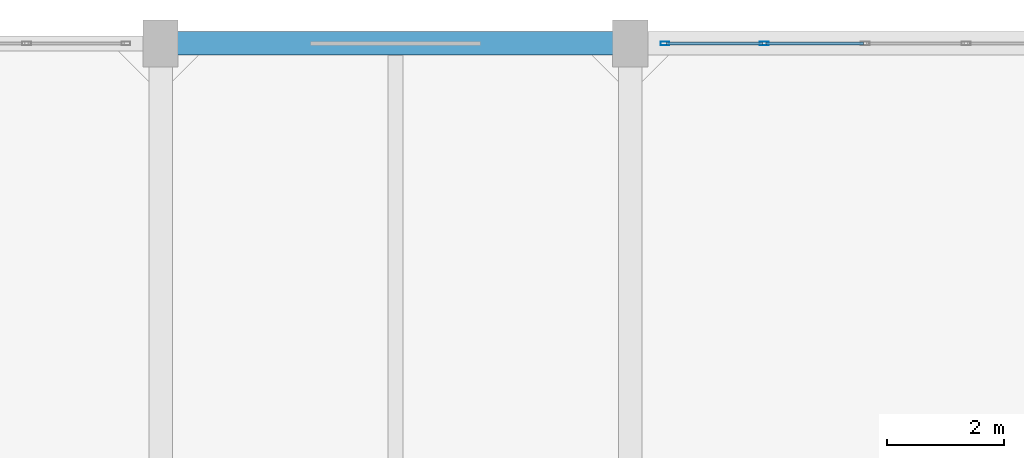
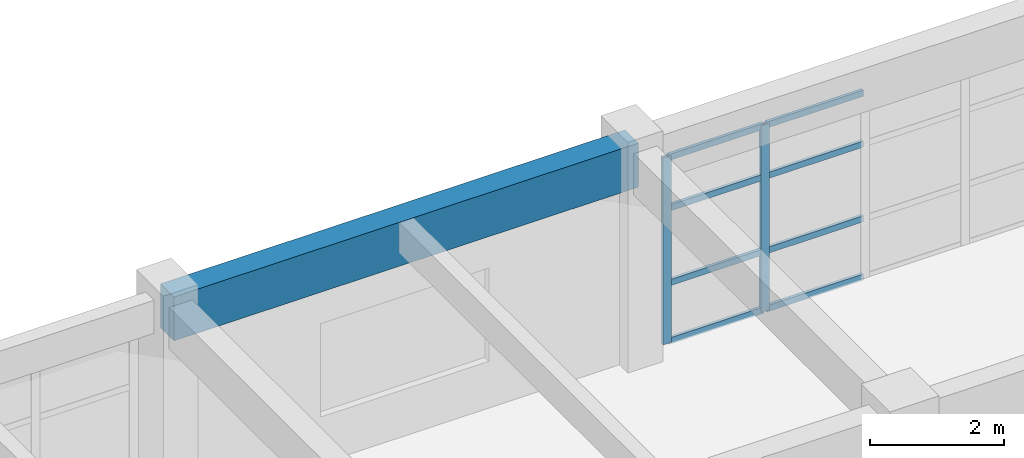
# One storey, part 14 of 27: 10 members, 1 beam, 1 element without a shape of its own.
"""IFC4 building model written with IfcOpenShell, lengths in metres."""

from ifc_helpers import new_model, si_unit, direction, frame, origin, origin_2d, place, context, subcontext, project, spatial, rectangle, hollow_rectangle, extrude, material, layer, layer_set, material_profile, profile_set, type_object, element, aggregate, save


model = new_model("IFC4")

# Units and contexts
model_context = context("Model", 3, precision=1e-05, world=origin(), true_north=direction((0.0, 1.0)))
body_context = subcontext(model_context, "Body", "Model", "MODEL_VIEW")
ifc_project = project(units=[si_unit("LENGTHUNIT", "METRE"), si_unit("AREAUNIT", "SQUARE_METRE"), si_unit("VOLUMEUNIT", "CUBIC_METRE"), si_unit("PLANEANGLEUNIT", "RADIAN"), si_unit("MASSUNIT", "GRAM", prefix="KILO")], contexts=[model_context])

# Site, building, storey
site_placement = place(None, origin())
site = spatial("IfcSite", under=ifc_project, at=site_placement, CompositionType="ELEMENT")
building_placement = place(site_placement, origin())
building = spatial("IfcBuilding", under=site, at=building_placement, Name="Canggui Botanical Conservatory", CompositionType="ELEMENT")
storey_placement = place(building_placement, frame((0.0, 0.0, 23.39990234375)))
storey = spatial("IfcBuildingStorey", under=building, at=storey_placement, Name="L06", CompositionType="ELEMENT", Elevation=23.39990234375)

# Beam
ifc_material_1 = material(Name="Concrete C35", Category="concrete")
ifc_material_profile_1 = material_profile(ifc_material_1, rectangle(XDim=0.39990234375, YDim=0.800048828125, at=origin_2d()), Name="RB 400x800")
ifc_profile_set_1 = profile_set([ifc_material_profile_1], Name="Concrete C35")
beam_type = type_object("IfcBeamType", Name="BM-KL09", PredefinedType="BEAM", material=ifc_profile_set_1)
beam_placement = place(storey_placement, frame((146.0, 74.0, 3.56005859375), z_axis=(1.0, 0.0, 0.0), x_axis=(0.0, 1.0, 0.0)))
element("IfcBeam", 1, at=beam_placement, inside=storey, type_object=beam_type, Name="Frame Girder L06 Y74-2", PredefinedType="BEAM", context=body_context, shape_type="SweptSolid", body=[
    extrude(rectangle(XDim=0.39990234375, YDim=0.800048828125, at=origin_2d()), origin(), (0.0, 0.0, 1.0), 8.0),
])

# Curtain wall, members
ifc_material_2 = material(Name="Thermally Broken Aluminium", Category="aluminium")
ifc_layer = layer(ifc_material_2, 0.14990234375, Name="Thermally Broken Aluminium", Category="aluminium")
ifc_layer_set = layer_set([ifc_layer], Name="Thermally Broken Aluminium")
curtain_wall_type = type_object("IfcCurtainWallType", Name="CW-UNIT-C", PredefinedType="USERDEFINED", material=ifc_layer_set)
curtain_wall_placement = place(storey_placement, origin())
curtain_wall = element("IfcCurtainWall", 2, at=curtain_wall_placement, inside=storey, type_object=curtain_wall_type, Name="Facade Curtain Wall CW-TWR-L06-14", ObjectType="UNITISED CURTAIN WALL", PredefinedType="USERDEFINED")
ifc_material_profile_2 = material_profile(ifc_material_2, hollow_rectangle(XDim=0.06005859375, YDim=0.14990234375, WallThickness=0.00341796875, at=origin_2d()), Name="CWM 60x150x3.5")
ifc_profile_set_2 = profile_set([ifc_material_profile_2], Name="Thermally Broken Aluminium")
member_type_1 = type_object("IfcMemberType", Name="CWM-03", PredefinedType="MULLION", material=ifc_profile_set_2)
member_1_placement = place(storey_placement, frame((154.590087890625, 74.0, 0.0), z_axis=(0.0, 0.0, 1.0), x_axis=(0.0, 1.0, 0.0)))
member_1 = element("IfcMember", 3, at=member_1_placement, type_object=member_type_1, Name="CW-03 mullion 1", PredefinedType="MULLION", context=body_context, shape_type="SweptSolid", body=[
    extrude(hollow_rectangle(XDim=0.06005859375, YDim=0.14990234375, WallThickness=0.00341796875, at=origin_2d()), origin(), (0.0, 0.0, 1.0), 3.400146484375),
])
member_2_placement = place(storey_placement, frame((156.280029296875, 74.0, 0.0), z_axis=(0.0, 0.0, 1.0), x_axis=(0.0, 1.0, 0.0)))
member_2 = element("IfcMember", 4, at=member_2_placement, type_object=member_type_1, Name="CW-03 mullion 2", PredefinedType="MULLION", context=body_context, shape_type="SweptSolid", body=[
    extrude(hollow_rectangle(XDim=0.06005859375, YDim=0.14990234375, WallThickness=0.00341796875, at=origin_2d()), origin(), (0.0, 0.0, 1.0), 3.400146484375),
])
ifc_material_profile_3 = material_profile(ifc_material_2, hollow_rectangle(XDim=0.054931640625, YDim=0.110107421875, WallThickness=0.0029296875, at=origin_2d()), Name="CWT 55x110x3")
ifc_profile_set_3 = profile_set([ifc_material_profile_3], Name="Thermally Broken Aluminium")
member_type_2 = type_object("IfcMemberType", Name="CWT-03", PredefinedType="USERDEFINED", material=ifc_profile_set_3)
member_3_placement = place(storey_placement, frame((154.6201171875, 74.0, 0.027587890625), z_axis=(1.0, 0.0, 0.0), x_axis=(0.0, 1.0, 0.0)))
member_3 = element("IfcMember", 5, at=member_3_placement, type_object=member_type_2, Name="CW-03 transom 1.1", ObjectType="TRANSOM", PredefinedType="USERDEFINED", context=body_context, shape_type="SweptSolid", body=[
    extrude(hollow_rectangle(XDim=0.054931640625, YDim=0.110107421875, WallThickness=0.0029296875, at=origin_2d()), origin(), (0.0, 0.0, 1.0), 1.6298828125),
])
member_4_placement = place(storey_placement, frame((154.6201171875, 74.0, 1.088134765625), z_axis=(1.0, 0.0, 0.0), x_axis=(0.0, 1.0, 0.0)))
member_4 = element("IfcMember", 6, at=member_4_placement, type_object=member_type_2, Name="CW-03 transom 1.2", ObjectType="TRANSOM", PredefinedType="USERDEFINED", context=body_context, shape_type="SweptSolid", body=[
    extrude(hollow_rectangle(XDim=0.054931640625, YDim=0.110107421875, WallThickness=0.0029296875, at=origin_2d()), origin(), (0.0, 0.0, 1.0), 1.6298828125),
])
member_5_placement = place(storey_placement, frame((154.6201171875, 74.0, 2.447998046875), z_axis=(1.0, 0.0, 0.0), x_axis=(0.0, 1.0, 0.0)))
member_5 = element("IfcMember", 7, at=member_5_placement, type_object=member_type_2, Name="CW-03 transom 1.3", ObjectType="TRANSOM", PredefinedType="USERDEFINED", context=body_context, shape_type="SweptSolid", body=[
    extrude(hollow_rectangle(XDim=0.054931640625, YDim=0.110107421875, WallThickness=0.0029296875, at=origin_2d()), origin(), (0.0, 0.0, 1.0), 1.6298828125),
])
member_6_placement = place(storey_placement, frame((154.6201171875, 74.0, 3.37255859375), z_axis=(1.0, 0.0, 0.0), x_axis=(0.0, 1.0, 0.0)))
member_6 = element("IfcMember", 8, at=member_6_placement, type_object=member_type_2, Name="CW-03 transom 1.4", ObjectType="TRANSOM", PredefinedType="USERDEFINED", context=body_context, shape_type="SweptSolid", body=[
    extrude(hollow_rectangle(XDim=0.054931640625, YDim=0.110107421875, WallThickness=0.0029296875, at=origin_2d()), origin(), (0.0, 0.0, 1.0), 1.6298828125),
])
member_7_placement = place(storey_placement, frame((156.31005859375, 74.0, 0.027587890625), z_axis=(1.0, 0.0, 0.0), x_axis=(0.0, 1.0, 0.0)))
member_7 = element("IfcMember", 9, at=member_7_placement, type_object=member_type_2, Name="CW-03 transom 2.1", ObjectType="TRANSOM", PredefinedType="USERDEFINED", context=body_context, shape_type="SweptSolid", body=[
    extrude(hollow_rectangle(XDim=0.054931640625, YDim=0.110107421875, WallThickness=0.0029296875, at=origin_2d()), origin(), (0.0, 0.0, 1.0), 1.659912109375),
])
member_8_placement = place(storey_placement, frame((156.31005859375, 74.0, 1.088134765625), z_axis=(1.0, 0.0, 0.0), x_axis=(0.0, 1.0, 0.0)))
member_8 = element("IfcMember", 10, at=member_8_placement, type_object=member_type_2, Name="CW-03 transom 2.2", ObjectType="TRANSOM", PredefinedType="USERDEFINED", context=body_context, shape_type="SweptSolid", body=[
    extrude(hollow_rectangle(XDim=0.054931640625, YDim=0.110107421875, WallThickness=0.0029296875, at=origin_2d()), origin(), (0.0, 0.0, 1.0), 1.659912109375),
])
member_9_placement = place(storey_placement, frame((156.31005859375, 74.0, 2.447998046875), z_axis=(1.0, 0.0, 0.0), x_axis=(0.0, 1.0, 0.0)))
member_9 = element("IfcMember", 11, at=member_9_placement, type_object=member_type_2, Name="CW-03 transom 2.3", ObjectType="TRANSOM", PredefinedType="USERDEFINED", context=body_context, shape_type="SweptSolid", body=[
    extrude(hollow_rectangle(XDim=0.054931640625, YDim=0.110107421875, WallThickness=0.0029296875, at=origin_2d()), origin(), (0.0, 0.0, 1.0), 1.659912109375),
])
member_10_placement = place(storey_placement, frame((156.31005859375, 74.0, 3.37255859375), z_axis=(1.0, 0.0, 0.0), x_axis=(0.0, 1.0, 0.0)))
member_10 = element("IfcMember", 12, at=member_10_placement, type_object=member_type_2, Name="CW-03 transom 2.4", ObjectType="TRANSOM", PredefinedType="USERDEFINED", context=body_context, shape_type="SweptSolid", body=[
    extrude(hollow_rectangle(XDim=0.054931640625, YDim=0.110107421875, WallThickness=0.0029296875, at=origin_2d()), origin(), (0.0, 0.0, 1.0), 1.659912109375),
])
aggregate(curtain_wall, [member_1, member_2, member_3, member_4, member_5, member_6, member_7, member_8, member_9, member_10])

save(model, "model.ifc")
